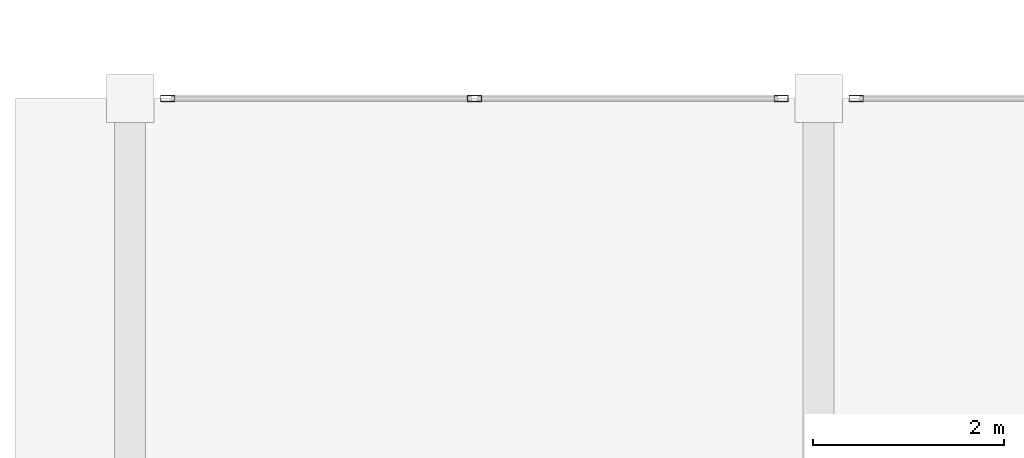
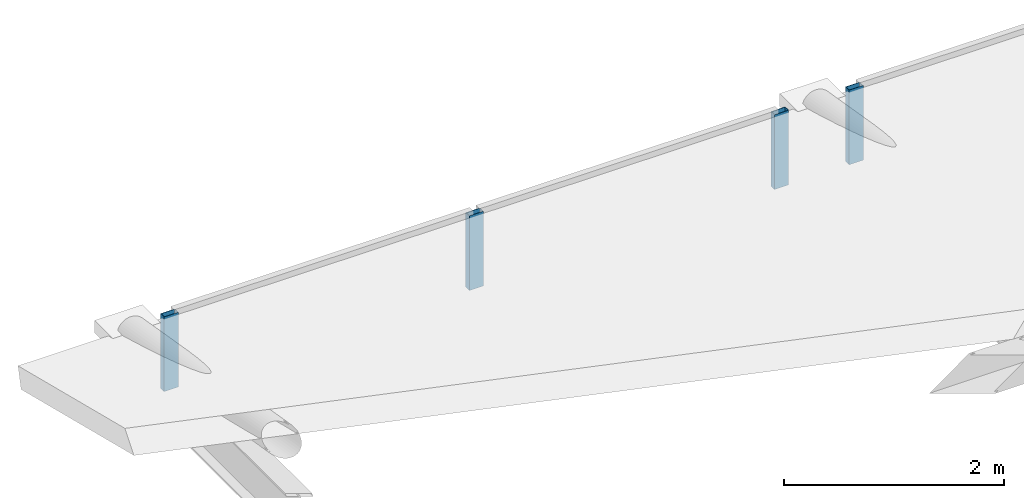
# One storey, part 4 of 13: 4 members, 2 elements without a shape of their own.
"""IFC4 building model written with IfcOpenShell, lengths in metres."""

from ifc_helpers import new_model, si_unit, direction, frame, origin, origin_2d, place, context, subcontext, project, spatial, hollow_rectangle, extrude, source, transform, mapped, material, layer, layer_set, material_profile, profile_set, type_object, type_shapes, element, aggregate, save


model = new_model("IFC4")

# Units and contexts
model_context = context("Model", 3, precision=1e-05, world=origin(), true_north=direction((0.0, 1.0)))
body_context = subcontext(model_context, "Body", "Model", "MODEL_VIEW")
ifc_project = project(units=[si_unit("LENGTHUNIT", "METRE"), si_unit("AREAUNIT", "SQUARE_METRE"), si_unit("VOLUMEUNIT", "CUBIC_METRE"), si_unit("PLANEANGLEUNIT", "RADIAN"), si_unit("MASSUNIT", "GRAM", prefix="KILO")], contexts=[model_context])

# Site, building, storey
site_placement = place(None, origin())
site = spatial("IfcSite", under=ifc_project, at=site_placement, CompositionType="ELEMENT")
building_placement = place(site_placement, origin())
building = spatial("IfcBuilding", under=site, at=building_placement, Name="Talar Marvaseh", CompositionType="ELEMENT")
storey_placement = place(building_placement, frame((0.0, 0.0, 19.0)))
storey = spatial("IfcBuildingStorey", under=building, at=storey_placement, Name="L04", CompositionType="ELEMENT", Elevation=19.0)

# Curtain wall, members
ifc_material = material(Name="Architectural Aluminium", Category="aluminium")
ifc_layer = layer(ifc_material, 0.169921875)
ifc_layer_set = layer_set([ifc_layer], Name="Architectural Aluminium")
curtain_wall_type = type_object("IfcCurtainWallType", Name="Market Hall Clerestory and Courtyard Curtain Wall", PredefinedType="NOTDEFINED", material=ifc_layer_set)
curtain_wall_1_placement = place(storey_placement, origin())
curtain_wall_1 = element("IfcCurtainWall", 1, at=curtain_wall_1_placement, inside=storey, type_object=curtain_wall_type, Name="L04 Market Hall Clerestory and Courtyard Curtain Wall", PredefinedType="NOTDEFINED")
ifc_material_profile = material_profile(ifc_material, hollow_rectangle(XDim=0.06494140625, YDim=0.14990234375, WallThickness=0.00390625, at=origin_2d()), Name="RHS150x65x4")
ifc_profile_set = profile_set([ifc_material_profile], Name="Architectural Aluminium")
member_type = type_object("IfcMemberType", Name="Unitised Curtain Wall Slim Mullion RHS150x65x4", PredefinedType="MULLION", material=ifc_profile_set)
shared_shape = source(origin(), body_context, "Body", "SweptSolid", [
    extrude(hollow_rectangle(XDim=0.06494140625, YDim=0.14990234375, WallThickness=0.00390625, at=origin_2d()), origin(), (0.0, 0.0, 1.0), 0.829833984375),
])
type_shapes(member_type, [shared_shape])
member_1_placement = place(storey_placement, frame((55.592529296875, 47.199951171875, -0.14990234375), z_axis=(0.0, 0.0, 1.0), x_axis=(0.0, 1.0, 0.0)))
member_1 = element("IfcMember", 2, at=member_1_placement, type_object=member_type, Name="CW-MKT mullion 1", PredefinedType="MULLION", context=body_context, shape_type="MappedRepresentation", body=[
    mapped(shared_shape, transform((0.0, 0.0, 0.0), x_axis=(1.0, 0.0, 0.0), y_axis=(0.0, 1.0, 0.0), z_axis=(0.0, 0.0, 1.0), scale=1.0)),
])
member_2_placement = place(storey_placement, frame((58.800048828125, 47.199951171875, -0.14990234375), z_axis=(0.0, 0.0, 1.0), x_axis=(0.0, 1.0, 0.0)))
member_2 = element("IfcMember", 3, at=member_2_placement, type_object=member_type, Name="CW-MKT mullion 2", PredefinedType="MULLION", context=body_context, shape_type="MappedRepresentation", body=[
    mapped(shared_shape, transform((0.0, 0.0, 0.0), x_axis=(1.0, 0.0, 0.0), y_axis=(0.0, 1.0, 0.0), z_axis=(0.0, 0.0, 1.0), scale=1.0)),
])
member_3_placement = place(storey_placement, frame((62.007568359375, 47.199951171875, -0.14990234375), z_axis=(0.0, 0.0, 1.0), x_axis=(0.0, 1.0, 0.0)))
member_3 = element("IfcMember", 4, at=member_3_placement, type_object=member_type, Name="CW-MKT mullion 3", PredefinedType="MULLION", context=body_context, shape_type="MappedRepresentation", body=[
    mapped(shared_shape, transform((0.0, 0.0, 0.0), x_axis=(1.0, 0.0, 0.0), y_axis=(0.0, 1.0, 0.0), z_axis=(0.0, 0.0, 1.0), scale=1.0)),
])
aggregate(curtain_wall_1, [member_1, member_2, member_3])

# Curtain wall, member
curtain_wall_2_placement = place(storey_placement, origin())
curtain_wall_2 = element("IfcCurtainWall", 5, at=curtain_wall_2_placement, inside=storey, type_object=curtain_wall_type, Name="L04 Market Hall Clerestory and Courtyard Curtain Wall", PredefinedType="NOTDEFINED")
member_4_placement = place(storey_placement, frame((62.79248046875, 47.199951171875, -0.14990234375), z_axis=(0.0, 0.0, 1.0), x_axis=(0.0, 1.0, 0.0)))
member_4 = element("IfcMember", 6, at=member_4_placement, type_object=member_type, Name="CW-MKT mullion 1", PredefinedType="MULLION", context=body_context, shape_type="MappedRepresentation", body=[
    mapped(shared_shape, transform((0.0, 0.0, 0.0), x_axis=(1.0, 0.0, 0.0), y_axis=(0.0, 1.0, 0.0), z_axis=(0.0, 0.0, 1.0), scale=1.0)),
])
aggregate(curtain_wall_2, [member_4])

save(model, "model.ifc")
